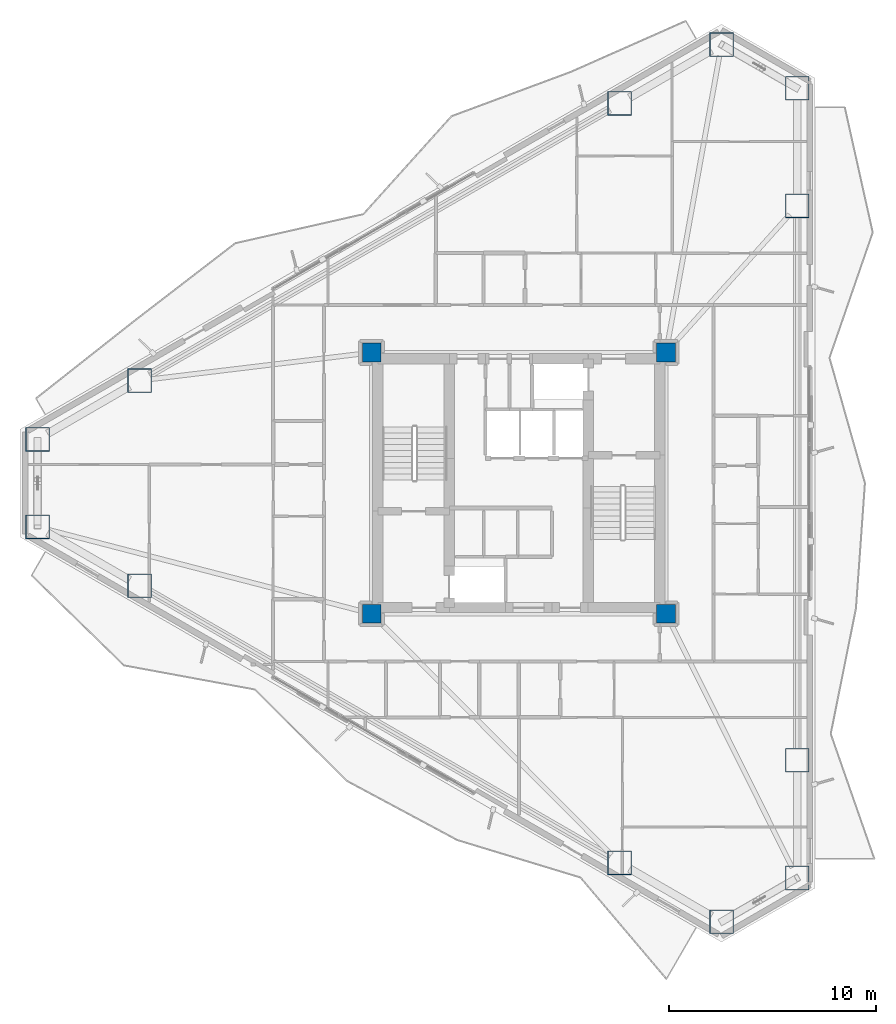
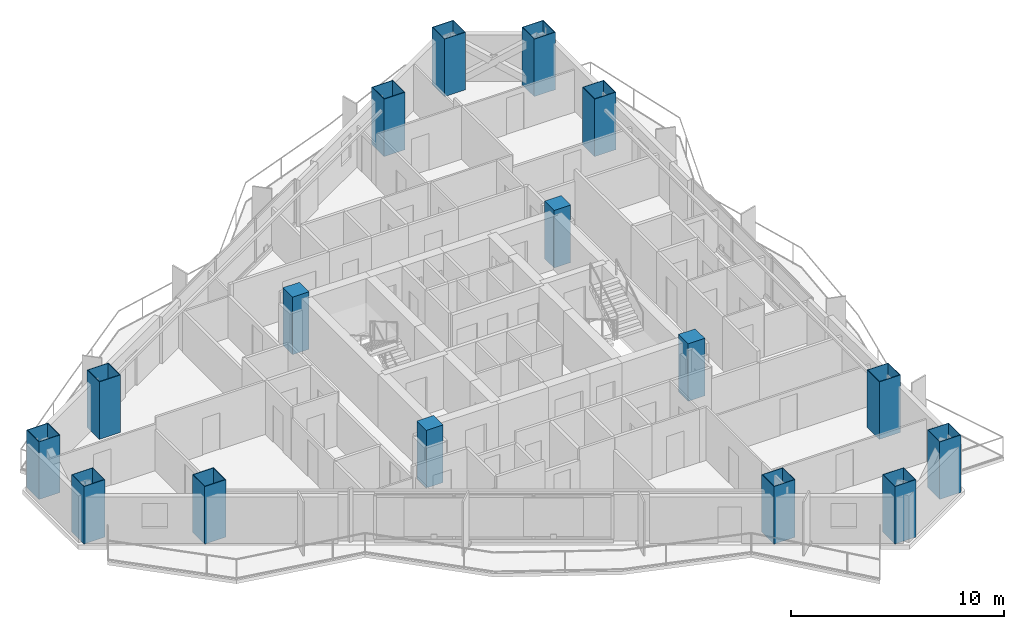
# One storey, part 1 of 23: 16 columns.
"""IFC4 building model written with IfcOpenShell, lengths in metres."""

import ifcopenshell
import ifcopenshell.guid

model = None  # the IFC model being written
_history = None  # IfcOwnerHistory: only IFC2X3 demands one
_inside = {}  # id of a spatial element -> (the spatial element, [elements in it])
_under = {}  # id of a project, library or spatial element -> (it, [spatial elements below it])
_declared = {}  # id of a project -> (the project, [libraries it declares])
_typed = {}  # id of a type object -> (the type object, [elements of that type])
_made_of = {}  # id of a material, layer set ... -> (it, [elements and type objects made of it])


def new_model(schema):
    """Start an empty IFC model of exactly this schema.

    Asked for "IFC4X3", IfcOpenShell would pick the latest addendum, in which some entities
    have other attributes; the version numbers below select the first issue.
    IFC2X3 requires an IfcOwnerHistory on every rooted entity: one is made here for all.
    """
    global model, _history
    if schema == "IFC4X3":
        model = ifcopenshell.file(schema_version=(4, 3, 0, 0))
    else:
        model = ifcopenshell.file(schema=schema)
    _inside.clear()
    _under.clear()
    _declared.clear()
    _typed.clear()
    _made_of.clear()
    _history = None
    if model.schema == "IFC2X3":
        org = make("IfcOrganization", Name="unknown")
        user = make(
            "IfcPersonAndOrganization",
            ThePerson=make("IfcPerson", FamilyName="unknown"),
            TheOrganization=org,
        )
        app = make(
            "IfcApplication",
            ApplicationDeveloper=org,
            Version="unknown",
            ApplicationFullName="unknown",
            ApplicationIdentifier="unknown",
        )
        _history = make(
            "IfcOwnerHistory",
            OwningUser=user,
            OwningApplication=app,
            ChangeAction="ADDED",
            CreationDate=0,
        )
    return model


def make(cls, **values):
    """One entity of the class cls with the attributes given. An attribute that is None is left unset."""
    return model.create_entity(
        cls, **{name: value for name, value in values.items() if value is not None}
    )


def rooted(cls, **values):
    """An entity with a GlobalId (a new one), such as an element, a storey or a relation."""
    return make(cls, GlobalId=ifcopenshell.guid.new(), OwnerHistory=_history, **values)


def si_unit(unit_type, name, prefix=None):
    """IfcSIUnit, for example si_unit("LENGTHUNIT", "METRE", prefix="MILLI")."""
    return make("IfcSIUnit", UnitType=unit_type, Prefix=prefix, Name=name)


def assignment(units):
    """IfcUnitAssignment: the units of a project."""
    return None if units is None else make("IfcUnitAssignment", Units=units)


def point(xyz):
    """IfcCartesianPoint."""
    return None if xyz is None else make("IfcCartesianPoint", Coordinates=xyz)


def direction(xyz):
    """IfcDirection."""
    return None if xyz is None else make("IfcDirection", DirectionRatios=xyz)


def frame(location, z_axis=None, x_axis=None):
    """IfcAxis2Placement3D, a coordinate frame: its origin and axes. An axis left out is left unset."""
    return make(
        "IfcAxis2Placement3D",
        Location=point(location),
        Axis=direction(z_axis),
        RefDirection=direction(x_axis),
    )


def frame_2d(location, x_axis=None):
    """IfcAxis2Placement2D, a coordinate frame in the plane: its origin and x axis."""
    return make(
        "IfcAxis2Placement2D", Location=point(location), RefDirection=direction(x_axis)
    )


def origin():
    """The frame at (0, 0, 0) with its axes left unset."""
    return frame((0.0, 0.0, 0.0))


def origin_2d():
    """The frame at (0, 0) in the plane with its x axis left unset."""
    return frame_2d((0.0, 0.0))


def place(relative_to, where):
    """IfcLocalPlacement: puts the frame where relative to a parent placement (None: the world)."""
    return make(
        "IfcLocalPlacement", PlacementRelTo=relative_to, RelativePlacement=where
    )


def context(
    kind, dimensions, precision=None, world=None, true_north=None, identifier=None
):
    """IfcGeometricRepresentationContext, for example the 3D "Model" context."""
    return make(
        "IfcGeometricRepresentationContext",
        ContextIdentifier=identifier,
        ContextType=kind,
        CoordinateSpaceDimension=dimensions,
        Precision=precision,
        WorldCoordinateSystem=world,
        TrueNorth=true_north,
    )


def subcontext(parent, identifier, kind, view, scale=None):
    """IfcGeometricRepresentationSubContext, for example "Body" below "Model"."""
    return make(
        "IfcGeometricRepresentationSubContext",
        ContextIdentifier=identifier,
        ContextType=kind,
        ParentContext=parent,
        TargetScale=scale,
        TargetView=view,
    )


def project(units=None, contexts=None):
    """IfcProject with its units and contexts."""
    return rooted(
        "IfcProject",
        Name="project",
        RepresentationContexts=contexts,
        UnitsInContext=assignment(units),
    )


def spatial(cls, under=None, at=None, **own):
    """A site, building, storey or space (cls), placed at a placement, below another one or the project."""
    s = rooted(cls, ObjectPlacement=at, **own)
    if under is not None:
        _under.setdefault(under.id(), (under, []))[1].append(s)
    return s


def profile(cls, at=None, kind="AREA", **sizes):
    """A parametric profile (cls). Its sizes go by their IFC names, for example OverallWidth=200.0."""
    return make(cls, ProfileType=kind, Position=at, **sizes)


def rectangle(**sizes):
    """IfcRectangleProfileDef."""
    return profile("IfcRectangleProfileDef", **sizes)


def hollow_rectangle(**sizes):
    """IfcRectangleHollowProfileDef."""
    return profile("IfcRectangleHollowProfileDef", **sizes)


def extrude(swept, where, along, depth):
    """IfcExtrudedAreaSolid: the profile swept, set in the frame where, extruded along a direction by depth."""
    return make(
        "IfcExtrudedAreaSolid",
        SweptArea=swept,
        Position=where,
        ExtrudedDirection=direction(along),
        Depth=depth,
    )


def shape(context_of_items, identifier, shape_type, items):
    """IfcShapeRepresentation: the items that make up one representation, for example the "Body"."""
    return make(
        "IfcShapeRepresentation",
        ContextOfItems=context_of_items,
        RepresentationIdentifier=identifier,
        RepresentationType=shape_type,
        Items=items,
    )


def material(Name=None, Category=None):
    """IfcMaterial."""
    return make("IfcMaterial", Name=Name, Category=Category)


def material_profile(
    of_material, cross_section, Name=None, Category=None, Priority=None
):
    """IfcMaterialProfile: a cross section and its material."""
    return make(
        "IfcMaterialProfile",
        Name=Name,
        Material=of_material,
        Profile=cross_section,
        Priority=Priority,
        Category=Category,
    )


def profile_set(profiles, Name=None, composite=None):
    """IfcMaterialProfileSet."""
    return make(
        "IfcMaterialProfileSet",
        Name=Name,
        MaterialProfiles=profiles,
        CompositeProfile=composite,
    )


def made_of(thing, what):
    """Note that an element or type object is made of a material, layer set ...; save() writes the relation."""
    if what is not None:
        _made_of.setdefault(what.id(), (what, []))[1].append(thing)
    return thing


def type_object(cls, material=None, **own):
    """A type object (cls), such as IfcWallType, which elements share."""
    return made_of(rooted(cls, **own), material)


def element(
    cls,
    number,
    at=None,
    inside=None,
    cuts=None,
    type_object=None,
    material=None,
    context=None,
    identifier="Body",
    shape_type=None,
    held_by="IfcProductDefinitionShape",
    body=None,
    shapes=None,
    **own,
):
    """One element of the class cls, such as IfcWall. Its Tag is "e" and its number.

    at: its placement. inside: the storey or other place that contains it. cuts: it is an
    opening in that element (IfcRelVoidsElement). A single representation is given by context,
    identifier, shape_type and body (its items); several are given by shapes. held_by: the class
    of the entity that holds the representations. save() writes the other relations.
    """
    e = rooted(cls, Tag="e%d" % number, ObjectPlacement=at, **own)
    if body is not None:
        shapes = [shape(context, identifier, shape_type, body)]
    if shapes is not None:
        e.Representation = make(held_by, Representations=shapes)
    if inside is not None:
        _inside.setdefault(inside.id(), (inside, []))[1].append(e)
    if cuts is not None:
        rooted(
            "IfcRelVoidsElement", RelatingBuildingElement=cuts, RelatedOpeningElement=e
        )
    if type_object is not None:
        _typed.setdefault(type_object.id(), (type_object, []))[1].append(e)
    return made_of(e, material)


def aggregate(whole, parts):
    """IfcRelAggregates: a whole, such as a stair, and the parts it consists of."""
    return rooted("IfcRelAggregates", RelatingObject=whole, RelatedObjects=parts)


def save(model, path):
    """Write the relations noted so far, then the file.

    IfcRelAggregates (storeys below a building ...), IfcRelContainedInSpatialStructure (elements
    in a storey), IfcRelDefinesByType, IfcRelAssociatesMaterial and IfcRelDeclares: one each for
    every whole, place, type object, material and project.
    """
    for whole, parts in _under.values():
        aggregate(whole, parts)
    for where, things in _inside.values():
        rooted(
            "IfcRelContainedInSpatialStructure",
            RelatedElements=things,
            RelatingStructure=where,
        )
    for kind, things in _typed.values():
        rooted("IfcRelDefinesByType", RelatedObjects=things, RelatingType=kind)
    for what, things in _made_of.values():
        rooted("IfcRelAssociatesMaterial", RelatedObjects=things, RelatingMaterial=what)
    for by, libraries in _declared.values():
        rooted("IfcRelDeclares", RelatingContext=by, RelatedDefinitions=libraries)
    model.write(path)


model = new_model("IFC4")

# Units and contexts
model_context = context("Model", 3, precision=1e-05, world=origin(), true_north=direction((0.0, 1.0)))
body_context = subcontext(model_context, "Body", "Model", "MODEL_VIEW")
ifc_project = project(units=[si_unit("LENGTHUNIT", "METRE"), si_unit("AREAUNIT", "SQUARE_METRE"), si_unit("VOLUMEUNIT", "CUBIC_METRE"), si_unit("PLANEANGLEUNIT", "RADIAN"), si_unit("MASSUNIT", "GRAM", prefix="KILO")], contexts=[model_context])

# Site, building, storey
site_placement = place(None, origin())
site = spatial("IfcSite", under=ifc_project, at=site_placement, CompositionType="ELEMENT")
building_placement = place(site_placement, origin())
building = spatial("IfcBuilding", under=site, at=building_placement, Name="Mersakhor Tower and Convention Hall", CompositionType="ELEMENT")
storey_placement = place(building_placement, frame((0.0, 0.0, 80.10009765625)))
storey = spatial("IfcBuildingStorey", under=building, at=storey_placement, Name="L21", CompositionType="ELEMENT", Elevation=80.10009765625)

# Columns
ifc_material_1 = material(Name="Concrete C60/75 in S460M steel box", Category="concrete")
ifc_material_profile_1 = material_profile(ifc_material_1, hollow_rectangle(XDim=1.14990234375, YDim=1.14990234375, WallThickness=0.031982421875, at=origin_2d()), Name="SHS 1150x1150x32")
ifc_profile_set_1 = profile_set([ifc_material_profile_1], Name="Concrete C60/75 in S460M steel box")
column_type_1 = type_object("IfcColumnType", Name="COL-CFT-1150", PredefinedType="COLUMN", material=ifc_profile_set_1)
for number, where, z_axis, x_axis, name in (
    (1, (5.78662109375, 28.86083984375, 0.0), (0.0, 0.0, 1.0), (1.0, 0.0, 0.0), "L21 Perimeter Mega-Column MC-01"),
    (2, (10.702392578125, 31.698974609375, 0.0), (0.0, 0.0, 1.0), (1.0, 0.0, 0.0), "L21 Perimeter Mega-Column MC-02"),
    (3, (33.86279296875, 45.070556640625, 0.0), (0.0, 0.0, 1.0), (1.0, 0.0, 0.0), "L21 Perimeter Mega-Column MC-03"),
    (4, (38.77880859375, 47.90869140625, 0.0), (0.0, 0.0, 1.0), (1.0, 0.0, 0.0), "L21 Perimeter Mega-Column MC-04"),
    (5, (42.4345703125, 45.798095703125, 0.0), (0.0, 0.0, 1.0), (1.0, 0.0, 0.0), "L21 Perimeter Mega-Column MC-05"),
    (6, (42.4345703125, 40.12158203125, 0.0), (0.0, 0.0, 1.0), (1.0, 0.0, 0.0), "L21 Perimeter Mega-Column MC-06"),
    (7, (42.4345703125, 13.37841796875, 0.0), (0.0, 0.0, 1.0), (1.0, 0.0, 0.0), "L21 Perimeter Mega-Column MC-07"),
    (8, (42.4345703125, 7.701904296875, 0.0), (0.0, 0.0, 1.0), (1.0, 0.0, 0.0), "L21 Perimeter Mega-Column MC-08"),
    (9, (38.77880859375, 5.59130859375, 0.0), (0.0, 0.0, 1.0), (1.0, 0.0, 0.0), "L21 Perimeter Mega-Column MC-09"),
    (10, (33.86279296875, 8.429443359375, 0.0), (0.0, 0.0, 1.0), (1.0, 0.0, 0.0), "L21 Perimeter Mega-Column MC-10"),
    (11, (10.702392578125, 21.801025390625, 0.0), (0.0, 0.0, 1.0), (1.0, 0.0, 0.0), "L21 Perimeter Mega-Column MC-11"),
    (12, (5.78662109375, 24.63916015625, 0.0), (0.0, 0.0, 1.0), (1.0, 0.0, 0.0), "L21 Perimeter Mega-Column MC-12"),
):
    element("IfcColumn", number, at=place(storey_placement, frame(where, z_axis=z_axis, x_axis=x_axis)), inside=storey, type_object=column_type_1, Name=name, PredefinedType="COLUMN", context=body_context, shape_type="SweptSolid", body=[
        extrude(hollow_rectangle(XDim=1.14990234375, YDim=1.14990234375, WallThickness=0.031982421875, at=origin_2d()), origin(), (0.0, 0.0, 1.0), 3.2998046875),
    ])
ifc_material_2 = material(Name="Concrete C60/75", Category="concrete")
ifc_material_profile_2 = material_profile(ifc_material_2, rectangle(XDim=0.89990234375, YDim=0.89990234375, at=origin_2d()), Name="RC 900x900")
ifc_profile_set_2 = profile_set([ifc_material_profile_2], Name="Concrete C60/75")
column_type_2 = type_object("IfcColumnType", Name="COL-RC-900", PredefinedType="COLUMN", material=ifc_profile_set_2)
for number, where, z_axis, x_axis, name in (
    (13, (21.89990234375, 20.449951171875, 0.0), (0.0, 0.0, 1.0), (1.0, 0.0, 0.0), "L21 Core Corner Column CC-1"),
    (14, (21.89990234375, 33.050048828125, 0.0), (0.0, 0.0, 1.0), (1.0, 0.0, 0.0), "L21 Core Corner Column CC-2"),
    (15, (36.10009765625, 33.050048828125, 0.0), (0.0, 0.0, 1.0), (1.0, 0.0, 0.0), "L21 Core Corner Column CC-3"),
    (16, (36.10009765625, 20.449951171875, 0.0), (0.0, 0.0, 1.0), (1.0, 0.0, 0.0), "L21 Core Corner Column CC-4"),
):
    element("IfcColumn", number, at=place(storey_placement, frame(where, z_axis=z_axis, x_axis=x_axis)), inside=storey, type_object=column_type_2, Name=name, PredefinedType="COLUMN", context=body_context, shape_type="SweptSolid", body=[
        extrude(rectangle(XDim=0.89990234375, YDim=0.89990234375, at=origin_2d()), origin(), (0.0, 0.0, 1.0), 3.2998046875),
    ])

save(model, "model.ifc")
